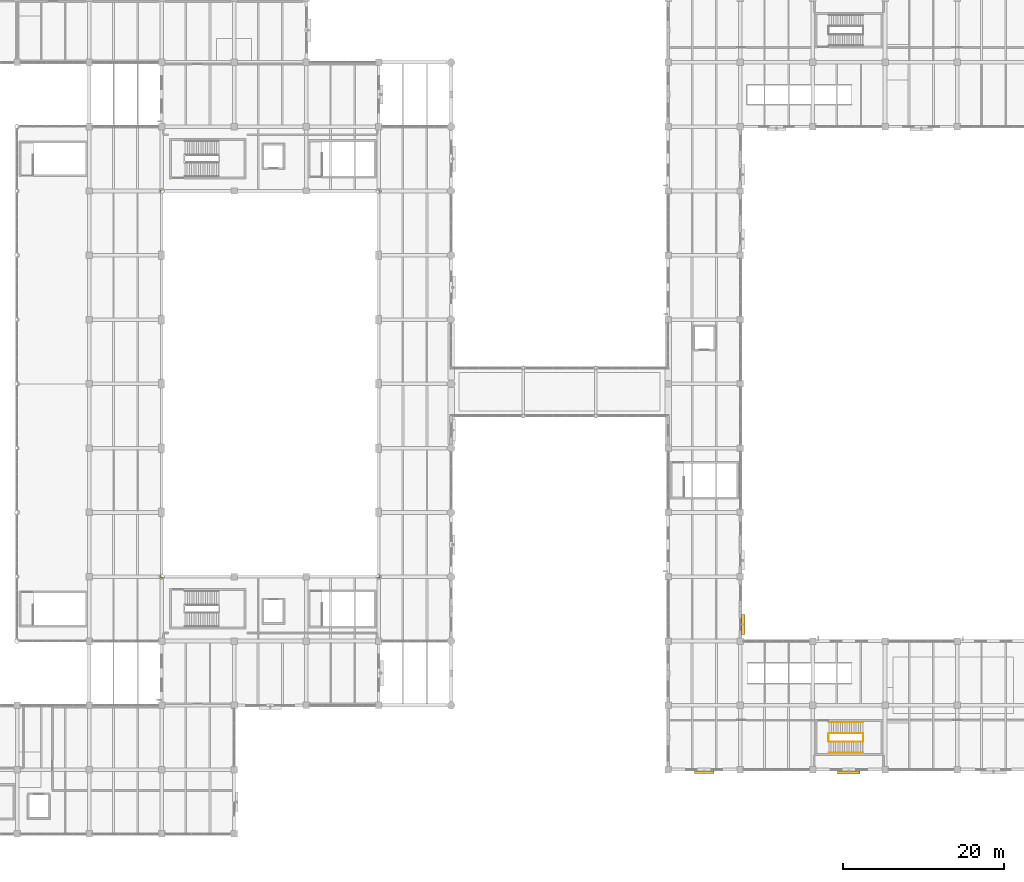
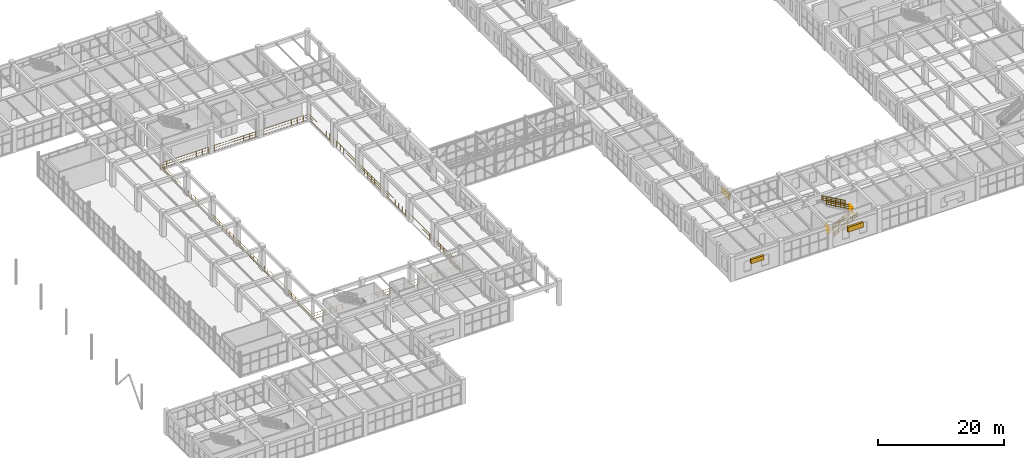
# One storey, part 170 of 178: 7 railings, 3 shading devices.
"""IFC4 building model written with IfcOpenShell, lengths in metres."""

from ifc_helpers import new_model, si_unit, derived_unit, direction, frame, origin, origin_2d, place, context, subcontext, project, spatial, rectangle, circle, extrude, material, layer, layer_set, type_object, element, save


model = new_model("IFC4")

# Units and contexts
model_context = context("Model", 3, precision=1e-05, world=origin(), true_north=direction((0.0, 1.0)))
body_context = subcontext(model_context, "Body", "Model", "MODEL_VIEW")
ifc_project = project(units=[si_unit("LENGTHUNIT", "METRE"), si_unit("AREAUNIT", "SQUARE_METRE"), si_unit("VOLUMEUNIT", "CUBIC_METRE"), si_unit("PLANEANGLEUNIT", "RADIAN"), si_unit("MASSUNIT", "GRAM", prefix="KILO"), derived_unit("THERMALTRANSMITTANCEUNIT", [(si_unit("MASSUNIT", "GRAM", prefix="KILO"), 1), (si_unit("TIMEUNIT", "SECOND"), -3), (si_unit("THERMODYNAMICTEMPERATUREUNIT", "KELVIN"), -1)])], contexts=[model_context])

# Site, building, storey
site_placement = place(None, origin())
site = spatial("IfcSite", under=ifc_project, at=site_placement, CompositionType="ELEMENT")
building_placement = place(site_placement, origin())
building = spatial("IfcBuilding", under=site, at=building_placement, Name="Zhenchuan Archway Interchange", CompositionType="ELEMENT")
storey_placement = place(building_placement, frame((0.0, 0.0, 5.39990234375)))
storey = spatial("IfcBuildingStorey", under=building, at=storey_placement, Name="L01", CompositionType="ELEMENT", Elevation=5.39990234375)

# Railings
ifc_material_1 = material(Name="Stainless Steel 316", Category="steel")
ifc_layer = layer(ifc_material_1, 0.070068359375)
ifc_layer_set = layer_set([ifc_layer], Name="Stainless Steel 316")
railing_type_1 = type_object("IfcRailingType", Name="RL_BALUSTRADE_1150", PredefinedType="BALUSTRADE", material=ifc_layer_set)
railing_placement = place(storey_placement, frame((35.8798828125, 31.8798828125, 0.0)))
element("IfcRailing", 1, at=railing_placement, inside=storey, type_object=railing_type_1, Name="Concourse nave gallery balustrade L01", PredefinedType="BALUSTRADE", context=body_context, shape_type="SweptSolid", body=[
    extrude(circle(Radius=0.02392578125, at=origin_2d()), frame((0.0, 0.0, 1.1259765625), z_axis=(1.0, 0.0, 0.0), x_axis=(0.0, 1.0, 0.0)), (0.0, 0.0, 1.0), 27.240234375),
    extrude(circle(Radius=0.01611328125, at=origin_2d()), frame((0.0, 0.0, 0.63232421875), z_axis=(1.0, 0.0, 0.0), x_axis=(0.0, 1.0, 0.0)), (0.0, 0.0, 1.0), 27.240234375),
    extrude(circle(Radius=0.01611328125, at=origin_2d()), frame((0.0, 0.0, 0.1201171875), z_axis=(1.0, 0.0, 0.0), x_axis=(0.0, 1.0, 0.0)), (0.0, 0.0, 1.0), 27.240234375),
    extrude(circle(Radius=0.02392578125, at=origin_2d()), frame((27.240234375, 0.0, 1.1259765625), z_axis=(0.0, 1.0, 0.0), x_axis=(-1.0, 0.0, 0.0)), (0.0, 0.0, 1.0), 48.240234375),
    extrude(circle(Radius=0.01611328125, at=origin_2d()), frame((27.240234375, 0.0, 0.63232421875), z_axis=(0.0, 1.0, 0.0), x_axis=(-1.0, 0.0, 0.0)), (0.0, 0.0, 1.0), 48.240234375),
    extrude(circle(Radius=0.01611328125, at=origin_2d()), frame((27.240234375, 0.0, 0.1201171875), z_axis=(0.0, 1.0, 0.0), x_axis=(-1.0, 0.0, 0.0)), (0.0, 0.0, 1.0), 48.240234375),
    extrude(circle(Radius=0.02392578125, at=origin_2d()), frame((27.240234375, 48.240234375, 1.1259765625), z_axis=(-1.0, 0.0, 0.0), x_axis=(0.0, -1.0, 0.0)), (0.0, 0.0, 1.0), 27.240234375),
    extrude(circle(Radius=0.01611328125, at=origin_2d()), frame((27.240234375, 48.240234375, 0.63232421875), z_axis=(-1.0, 0.0, 0.0), x_axis=(0.0, -1.0, 0.0)), (0.0, 0.0, 1.0), 27.240234375),
    extrude(circle(Radius=0.01611328125, at=origin_2d()), frame((27.240234375, 48.240234375, 0.1201171875), z_axis=(-1.0, 0.0, 0.0), x_axis=(0.0, -1.0, 0.0)), (0.0, 0.0, 1.0), 27.240234375),
    extrude(circle(Radius=0.02392578125, at=origin_2d()), frame((0.0, 48.240234375, 1.1259765625), z_axis=(0.0, -1.0, 0.0), x_axis=(1.0, 0.0, 0.0)), (0.0, 0.0, 1.0), 48.240234375),
    extrude(circle(Radius=0.01611328125, at=origin_2d()), frame((0.0, 48.240234375, 0.63232421875), z_axis=(0.0, -1.0, 0.0), x_axis=(1.0, 0.0, 0.0)), (0.0, 0.0, 1.0), 48.240234375),
    extrude(circle(Radius=0.01611328125, at=origin_2d()), frame((0.0, 48.240234375, 0.1201171875), z_axis=(0.0, -1.0, 0.0), x_axis=(1.0, 0.0, 0.0)), (0.0, 0.0, 1.0), 48.240234375),
    extrude(circle(Radius=0.02099609375, at=origin_2d()), origin(), (0.0, 0.0, 1.0), 1.1259765625),
    extrude(circle(Radius=0.02099609375, at=origin_2d()), frame((1.089599609375, 0.0, 0.0)), (0.0, 0.0, 1.0), 1.1259765625),
    extrude(circle(Radius=0.02099609375, at=origin_2d()), frame((2.17919921875, 0.0, 0.0)), (0.0, 0.0, 1.0), 1.1259765625),
    extrude(circle(Radius=0.02099609375, at=origin_2d()), frame((3.268798828125, 0.0, 0.0)), (0.0, 0.0, 1.0), 1.1259765625),
    extrude(circle(Radius=0.02099609375, at=origin_2d()), frame((4.3583984375, 0.0, 0.0)), (0.0, 0.0, 1.0), 1.1259765625),
    extrude(circle(Radius=0.02099609375, at=origin_2d()), frame((5.447998046875, 0.0, 0.0)), (0.0, 0.0, 1.0), 1.1259765625),
    extrude(circle(Radius=0.02099609375, at=origin_2d()), frame((6.53759765625, 0.0, 0.0)), (0.0, 0.0, 1.0), 1.1259765625),
    extrude(circle(Radius=0.02099609375, at=origin_2d()), frame((7.627197265625, 0.0, 0.0)), (0.0, 0.0, 1.0), 1.1259765625),
    extrude(circle(Radius=0.02099609375, at=origin_2d()), frame((8.716796875, 0.0, 0.0)), (0.0, 0.0, 1.0), 1.1259765625),
    extrude(circle(Radius=0.02099609375, at=origin_2d()), frame((9.806396484375, 0.0, 0.0)), (0.0, 0.0, 1.0), 1.1259765625),
    extrude(circle(Radius=0.02099609375, at=origin_2d()), frame((10.89599609375, 0.0, 0.0)), (0.0, 0.0, 1.0), 1.1259765625),
    extrude(circle(Radius=0.02099609375, at=origin_2d()), frame((11.985595703125, 0.0, 0.0)), (0.0, 0.0, 1.0), 1.1259765625),
    extrude(circle(Radius=0.02099609375, at=origin_2d()), frame((13.0751953125, 0.0, 0.0)), (0.0, 0.0, 1.0), 1.1259765625),
    extrude(circle(Radius=0.02099609375, at=origin_2d()), frame((14.1650390625, 0.0, 0.0)), (0.0, 0.0, 1.0), 1.1259765625),
    extrude(circle(Radius=0.02099609375, at=origin_2d()), frame((15.254638671875, 0.0, 0.0)), (0.0, 0.0, 1.0), 1.1259765625),
    extrude(circle(Radius=0.02099609375, at=origin_2d()), frame((16.34423828125, 0.0, 0.0)), (0.0, 0.0, 1.0), 1.1259765625),
    extrude(circle(Radius=0.02099609375, at=origin_2d()), frame((17.433837890625, 0.0, 0.0)), (0.0, 0.0, 1.0), 1.1259765625),
    extrude(circle(Radius=0.02099609375, at=origin_2d()), frame((18.5234375, 0.0, 0.0)), (0.0, 0.0, 1.0), 1.1259765625),
    extrude(circle(Radius=0.02099609375, at=origin_2d()), frame((19.613037109375, 0.0, 0.0)), (0.0, 0.0, 1.0), 1.1259765625),
    extrude(circle(Radius=0.02099609375, at=origin_2d()), frame((20.70263671875, 0.0, 0.0)), (0.0, 0.0, 1.0), 1.1259765625),
    extrude(circle(Radius=0.02099609375, at=origin_2d()), frame((21.792236328125, 0.0, 0.0)), (0.0, 0.0, 1.0), 1.1259765625),
    extrude(circle(Radius=0.02099609375, at=origin_2d()), frame((22.8818359375, 0.0, 0.0)), (0.0, 0.0, 1.0), 1.1259765625),
    extrude(circle(Radius=0.02099609375, at=origin_2d()), frame((23.971435546875, 0.0, 0.0)), (0.0, 0.0, 1.0), 1.1259765625),
    extrude(circle(Radius=0.02099609375, at=origin_2d()), frame((25.06103515625, 0.0, 0.0)), (0.0, 0.0, 1.0), 1.1259765625),
    extrude(circle(Radius=0.02099609375, at=origin_2d()), frame((26.150634765625, 0.0, 0.0)), (0.0, 0.0, 1.0), 1.1259765625),
    extrude(circle(Radius=0.02099609375, at=origin_2d()), frame((27.240234375, 0.0, 0.0)), (0.0, 0.0, 1.0), 1.1259765625),
    extrude(circle(Radius=0.02099609375, at=origin_2d()), frame((27.240234375, 1.096435546875, 0.0)), (0.0, 0.0, 1.0), 1.1259765625),
    extrude(circle(Radius=0.02099609375, at=origin_2d()), frame((27.240234375, 2.192626953125, 0.0)), (0.0, 0.0, 1.0), 1.1259765625),
    extrude(circle(Radius=0.02099609375, at=origin_2d()), frame((27.240234375, 3.2890625, 0.0)), (0.0, 0.0, 1.0), 1.1259765625),
    extrude(circle(Radius=0.02099609375, at=origin_2d()), frame((27.240234375, 4.385498046875, 0.0)), (0.0, 0.0, 1.0), 1.1259765625),
    extrude(circle(Radius=0.02099609375, at=origin_2d()), frame((27.240234375, 5.48193359375, 0.0)), (0.0, 0.0, 1.0), 1.1259765625),
    extrude(circle(Radius=0.02099609375, at=origin_2d()), frame((27.240234375, 6.578125, 0.0)), (0.0, 0.0, 1.0), 1.1259765625),
    extrude(circle(Radius=0.02099609375, at=origin_2d()), frame((27.240234375, 7.674560546875, 0.0)), (0.0, 0.0, 1.0), 1.1259765625),
    extrude(circle(Radius=0.02099609375, at=origin_2d()), frame((27.240234375, 8.77099609375, 0.0)), (0.0, 0.0, 1.0), 1.1259765625),
    extrude(circle(Radius=0.02099609375, at=origin_2d()), frame((27.240234375, 9.867431640625, 0.0)), (0.0, 0.0, 1.0), 1.1259765625),
    extrude(circle(Radius=0.02099609375, at=origin_2d()), frame((27.240234375, 10.963623046875, 0.0)), (0.0, 0.0, 1.0), 1.1259765625),
    extrude(circle(Radius=0.02099609375, at=origin_2d()), frame((27.240234375, 12.06005859375, 0.0)), (0.0, 0.0, 1.0), 1.1259765625),
    extrude(circle(Radius=0.02099609375, at=origin_2d()), frame((27.240234375, 13.156494140625, 0.0)), (0.0, 0.0, 1.0), 1.1259765625),
    extrude(circle(Radius=0.02099609375, at=origin_2d()), frame((27.240234375, 14.252685546875, 0.0)), (0.0, 0.0, 1.0), 1.1259765625),
    extrude(circle(Radius=0.02099609375, at=origin_2d()), frame((27.240234375, 15.34912109375, 0.0)), (0.0, 0.0, 1.0), 1.1259765625),
    extrude(circle(Radius=0.02099609375, at=origin_2d()), frame((27.240234375, 16.445556640625, 0.0)), (0.0, 0.0, 1.0), 1.1259765625),
    extrude(circle(Radius=0.02099609375, at=origin_2d()), frame((27.240234375, 17.5419921875, 0.0)), (0.0, 0.0, 1.0), 1.1259765625),
    extrude(circle(Radius=0.02099609375, at=origin_2d()), frame((27.240234375, 18.63818359375, 0.0)), (0.0, 0.0, 1.0), 1.1259765625),
    extrude(circle(Radius=0.02099609375, at=origin_2d()), frame((27.240234375, 19.734619140625, 0.0)), (0.0, 0.0, 1.0), 1.1259765625),
    extrude(circle(Radius=0.02099609375, at=origin_2d()), frame((27.240234375, 20.8310546875, 0.0)), (0.0, 0.0, 1.0), 1.1259765625),
    extrude(circle(Radius=0.02099609375, at=origin_2d()), frame((27.240234375, 21.927490234375, 0.0)), (0.0, 0.0, 1.0), 1.1259765625),
    extrude(circle(Radius=0.02099609375, at=origin_2d()), frame((27.240234375, 23.023681640625, 0.0)), (0.0, 0.0, 1.0), 1.1259765625),
    extrude(circle(Radius=0.02099609375, at=origin_2d()), frame((27.240234375, 24.1201171875, 0.0)), (0.0, 0.0, 1.0), 1.1259765625),
    extrude(circle(Radius=0.02099609375, at=origin_2d()), frame((27.240234375, 25.216552734375, 0.0)), (0.0, 0.0, 1.0), 1.1259765625),
    extrude(circle(Radius=0.02099609375, at=origin_2d()), frame((27.240234375, 26.312744140625, 0.0)), (0.0, 0.0, 1.0), 1.1259765625),
    extrude(circle(Radius=0.02099609375, at=origin_2d()), frame((27.240234375, 27.4091796875, 0.0)), (0.0, 0.0, 1.0), 1.1259765625),
    extrude(circle(Radius=0.02099609375, at=origin_2d()), frame((27.240234375, 28.505615234375, 0.0)), (0.0, 0.0, 1.0), 1.1259765625),
    extrude(circle(Radius=0.02099609375, at=origin_2d()), frame((27.240234375, 29.60205078125, 0.0)), (0.0, 0.0, 1.0), 1.1259765625),
    extrude(circle(Radius=0.02099609375, at=origin_2d()), frame((27.240234375, 30.6982421875, 0.0)), (0.0, 0.0, 1.0), 1.1259765625),
    extrude(circle(Radius=0.02099609375, at=origin_2d()), frame((27.240234375, 31.794677734375, 0.0)), (0.0, 0.0, 1.0), 1.1259765625),
    extrude(circle(Radius=0.02099609375, at=origin_2d()), frame((27.240234375, 32.89111328125, 0.0)), (0.0, 0.0, 1.0), 1.1259765625),
    extrude(circle(Radius=0.02099609375, at=origin_2d()), frame((27.240234375, 33.987548828125, 0.0)), (0.0, 0.0, 1.0), 1.1259765625),
    extrude(circle(Radius=0.02099609375, at=origin_2d()), frame((27.240234375, 35.083740234375, 0.0)), (0.0, 0.0, 1.0), 1.1259765625),
    extrude(circle(Radius=0.02099609375, at=origin_2d()), frame((27.240234375, 36.18017578125, 0.0)), (0.0, 0.0, 1.0), 1.1259765625),
    extrude(circle(Radius=0.02099609375, at=origin_2d()), frame((27.240234375, 37.276611328125, 0.0)), (0.0, 0.0, 1.0), 1.1259765625),
    extrude(circle(Radius=0.02099609375, at=origin_2d()), frame((27.240234375, 38.372802734375, 0.0)), (0.0, 0.0, 1.0), 1.1259765625),
    extrude(circle(Radius=0.02099609375, at=origin_2d()), frame((27.240234375, 39.46923828125, 0.0)), (0.0, 0.0, 1.0), 1.1259765625),
    extrude(circle(Radius=0.02099609375, at=origin_2d()), frame((27.240234375, 40.565673828125, 0.0)), (0.0, 0.0, 1.0), 1.1259765625),
    extrude(circle(Radius=0.02099609375, at=origin_2d()), frame((27.240234375, 41.662109375, 0.0)), (0.0, 0.0, 1.0), 1.1259765625),
    extrude(circle(Radius=0.02099609375, at=origin_2d()), frame((27.240234375, 42.75830078125, 0.0)), (0.0, 0.0, 1.0), 1.1259765625),
    extrude(circle(Radius=0.02099609375, at=origin_2d()), frame((27.240234375, 43.854736328125, 0.0)), (0.0, 0.0, 1.0), 1.1259765625),
    extrude(circle(Radius=0.02099609375, at=origin_2d()), frame((27.240234375, 44.951171875, 0.0)), (0.0, 0.0, 1.0), 1.1259765625),
    extrude(circle(Radius=0.02099609375, at=origin_2d()), frame((27.240234375, 46.047607421875, 0.0)), (0.0, 0.0, 1.0), 1.1259765625),
    extrude(circle(Radius=0.02099609375, at=origin_2d()), frame((27.240234375, 47.143798828125, 0.0)), (0.0, 0.0, 1.0), 1.1259765625),
    extrude(circle(Radius=0.02099609375, at=origin_2d()), frame((27.240234375, 48.240234375, 0.0)), (0.0, 0.0, 1.0), 1.1259765625),
    extrude(circle(Radius=0.02099609375, at=origin_2d()), frame((26.150634765625, 48.240234375, 0.0)), (0.0, 0.0, 1.0), 1.1259765625),
    extrude(circle(Radius=0.02099609375, at=origin_2d()), frame((25.06103515625, 48.240234375, 0.0)), (0.0, 0.0, 1.0), 1.1259765625),
    extrude(circle(Radius=0.02099609375, at=origin_2d()), frame((23.971435546875, 48.240234375, 0.0)), (0.0, 0.0, 1.0), 1.1259765625),
    extrude(circle(Radius=0.02099609375, at=origin_2d()), frame((22.8818359375, 48.240234375, 0.0)), (0.0, 0.0, 1.0), 1.1259765625),
    extrude(circle(Radius=0.02099609375, at=origin_2d()), frame((21.792236328125, 48.240234375, 0.0)), (0.0, 0.0, 1.0), 1.1259765625),
    extrude(circle(Radius=0.02099609375, at=origin_2d()), frame((20.70263671875, 48.240234375, 0.0)), (0.0, 0.0, 1.0), 1.1259765625),
    extrude(circle(Radius=0.02099609375, at=origin_2d()), frame((19.613037109375, 48.240234375, 0.0)), (0.0, 0.0, 1.0), 1.1259765625),
    extrude(circle(Radius=0.02099609375, at=origin_2d()), frame((18.5234375, 48.240234375, 0.0)), (0.0, 0.0, 1.0), 1.1259765625),
    extrude(circle(Radius=0.02099609375, at=origin_2d()), frame((17.433837890625, 48.240234375, 0.0)), (0.0, 0.0, 1.0), 1.1259765625),
    extrude(circle(Radius=0.02099609375, at=origin_2d()), frame((16.34423828125, 48.240234375, 0.0)), (0.0, 0.0, 1.0), 1.1259765625),
    extrude(circle(Radius=0.02099609375, at=origin_2d()), frame((15.254638671875, 48.240234375, 0.0)), (0.0, 0.0, 1.0), 1.1259765625),
    extrude(circle(Radius=0.02099609375, at=origin_2d()), frame((14.1650390625, 48.240234375, 0.0)), (0.0, 0.0, 1.0), 1.1259765625),
    extrude(circle(Radius=0.02099609375, at=origin_2d()), frame((13.0751953125, 48.240234375, 0.0)), (0.0, 0.0, 1.0), 1.1259765625),
    extrude(circle(Radius=0.02099609375, at=origin_2d()), frame((11.985595703125, 48.240234375, 0.0)), (0.0, 0.0, 1.0), 1.1259765625),
    extrude(circle(Radius=0.02099609375, at=origin_2d()), frame((10.89599609375, 48.240234375, 0.0)), (0.0, 0.0, 1.0), 1.1259765625),
    extrude(circle(Radius=0.02099609375, at=origin_2d()), frame((9.806396484375, 48.240234375, 0.0)), (0.0, 0.0, 1.0), 1.1259765625),
    extrude(circle(Radius=0.02099609375, at=origin_2d()), frame((8.716796875, 48.240234375, 0.0)), (0.0, 0.0, 1.0), 1.1259765625),
    extrude(circle(Radius=0.02099609375, at=origin_2d()), frame((7.627197265625, 48.240234375, 0.0)), (0.0, 0.0, 1.0), 1.1259765625),
    extrude(circle(Radius=0.02099609375, at=origin_2d()), frame((6.53759765625, 48.240234375, 0.0)), (0.0, 0.0, 1.0), 1.1259765625),
    extrude(circle(Radius=0.02099609375, at=origin_2d()), frame((5.447998046875, 48.240234375, 0.0)), (0.0, 0.0, 1.0), 1.1259765625),
    extrude(circle(Radius=0.02099609375, at=origin_2d()), frame((4.3583984375, 48.240234375, 0.0)), (0.0, 0.0, 1.0), 1.1259765625),
    extrude(circle(Radius=0.02099609375, at=origin_2d()), frame((3.268798828125, 48.240234375, 0.0)), (0.0, 0.0, 1.0), 1.1259765625),
    extrude(circle(Radius=0.02099609375, at=origin_2d()), frame((2.17919921875, 48.240234375, 0.0)), (0.0, 0.0, 1.0), 1.1259765625),
    extrude(circle(Radius=0.02099609375, at=origin_2d()), frame((1.089599609375, 48.240234375, 0.0)), (0.0, 0.0, 1.0), 1.1259765625),
    extrude(circle(Radius=0.02099609375, at=origin_2d()), frame((0.0, 48.240234375, 0.0)), (0.0, 0.0, 1.0), 1.1259765625),
    extrude(circle(Radius=0.02099609375, at=origin_2d()), frame((0.0, 47.143798828125, 0.0)), (0.0, 0.0, 1.0), 1.1259765625),
    extrude(circle(Radius=0.02099609375, at=origin_2d()), frame((0.0, 46.047607421875, 0.0)), (0.0, 0.0, 1.0), 1.1259765625),
    extrude(circle(Radius=0.02099609375, at=origin_2d()), frame((0.0, 44.951171875, 0.0)), (0.0, 0.0, 1.0), 1.1259765625),
    extrude(circle(Radius=0.02099609375, at=origin_2d()), frame((0.0, 43.854736328125, 0.0)), (0.0, 0.0, 1.0), 1.1259765625),
    extrude(circle(Radius=0.02099609375, at=origin_2d()), frame((0.0, 42.75830078125, 0.0)), (0.0, 0.0, 1.0), 1.1259765625),
    extrude(circle(Radius=0.02099609375, at=origin_2d()), frame((0.0, 41.662109375, 0.0)), (0.0, 0.0, 1.0), 1.1259765625),
    extrude(circle(Radius=0.02099609375, at=origin_2d()), frame((0.0, 40.565673828125, 0.0)), (0.0, 0.0, 1.0), 1.1259765625),
    extrude(circle(Radius=0.02099609375, at=origin_2d()), frame((0.0, 39.46923828125, 0.0)), (0.0, 0.0, 1.0), 1.1259765625),
    extrude(circle(Radius=0.02099609375, at=origin_2d()), frame((0.0, 38.372802734375, 0.0)), (0.0, 0.0, 1.0), 1.1259765625),
    extrude(circle(Radius=0.02099609375, at=origin_2d()), frame((0.0, 37.276611328125, 0.0)), (0.0, 0.0, 1.0), 1.1259765625),
    extrude(circle(Radius=0.02099609375, at=origin_2d()), frame((0.0, 36.18017578125, 0.0)), (0.0, 0.0, 1.0), 1.1259765625),
    extrude(circle(Radius=0.02099609375, at=origin_2d()), frame((0.0, 35.083740234375, 0.0)), (0.0, 0.0, 1.0), 1.1259765625),
    extrude(circle(Radius=0.02099609375, at=origin_2d()), frame((0.0, 33.987548828125, 0.0)), (0.0, 0.0, 1.0), 1.1259765625),
    extrude(circle(Radius=0.02099609375, at=origin_2d()), frame((0.0, 32.89111328125, 0.0)), (0.0, 0.0, 1.0), 1.1259765625),
    extrude(circle(Radius=0.02099609375, at=origin_2d()), frame((0.0, 31.794677734375, 0.0)), (0.0, 0.0, 1.0), 1.1259765625),
    extrude(circle(Radius=0.02099609375, at=origin_2d()), frame((0.0, 30.6982421875, 0.0)), (0.0, 0.0, 1.0), 1.1259765625),
    extrude(circle(Radius=0.02099609375, at=origin_2d()), frame((0.0, 29.60205078125, 0.0)), (0.0, 0.0, 1.0), 1.1259765625),
    extrude(circle(Radius=0.02099609375, at=origin_2d()), frame((0.0, 28.505615234375, 0.0)), (0.0, 0.0, 1.0), 1.1259765625),
    extrude(circle(Radius=0.02099609375, at=origin_2d()), frame((0.0, 27.4091796875, 0.0)), (0.0, 0.0, 1.0), 1.1259765625),
    extrude(circle(Radius=0.02099609375, at=origin_2d()), frame((0.0, 26.312744140625, 0.0)), (0.0, 0.0, 1.0), 1.1259765625),
    extrude(circle(Radius=0.02099609375, at=origin_2d()), frame((0.0, 25.216552734375, 0.0)), (0.0, 0.0, 1.0), 1.1259765625),
    extrude(circle(Radius=0.02099609375, at=origin_2d()), frame((0.0, 24.1201171875, 0.0)), (0.0, 0.0, 1.0), 1.1259765625),
    extrude(circle(Radius=0.02099609375, at=origin_2d()), frame((0.0, 23.023681640625, 0.0)), (0.0, 0.0, 1.0), 1.1259765625),
    extrude(circle(Radius=0.02099609375, at=origin_2d()), frame((0.0, 21.927490234375, 0.0)), (0.0, 0.0, 1.0), 1.1259765625),
    extrude(circle(Radius=0.02099609375, at=origin_2d()), frame((0.0, 20.8310546875, 0.0)), (0.0, 0.0, 1.0), 1.1259765625),
    extrude(circle(Radius=0.02099609375, at=origin_2d()), frame((0.0, 19.734619140625, 0.0)), (0.0, 0.0, 1.0), 1.1259765625),
    extrude(circle(Radius=0.02099609375, at=origin_2d()), frame((0.0, 18.63818359375, 0.0)), (0.0, 0.0, 1.0), 1.1259765625),
    extrude(circle(Radius=0.02099609375, at=origin_2d()), frame((0.0, 17.5419921875, 0.0)), (0.0, 0.0, 1.0), 1.1259765625),
    extrude(circle(Radius=0.02099609375, at=origin_2d()), frame((0.0, 16.445556640625, 0.0)), (0.0, 0.0, 1.0), 1.1259765625),
    extrude(circle(Radius=0.02099609375, at=origin_2d()), frame((0.0, 15.34912109375, 0.0)), (0.0, 0.0, 1.0), 1.1259765625),
    extrude(circle(Radius=0.02099609375, at=origin_2d()), frame((0.0, 14.252685546875, 0.0)), (0.0, 0.0, 1.0), 1.1259765625),
    extrude(circle(Radius=0.02099609375, at=origin_2d()), frame((0.0, 13.156494140625, 0.0)), (0.0, 0.0, 1.0), 1.1259765625),
    extrude(circle(Radius=0.02099609375, at=origin_2d()), frame((0.0, 12.06005859375, 0.0)), (0.0, 0.0, 1.0), 1.1259765625),
    extrude(circle(Radius=0.02099609375, at=origin_2d()), frame((0.0, 10.963623046875, 0.0)), (0.0, 0.0, 1.0), 1.1259765625),
    extrude(circle(Radius=0.02099609375, at=origin_2d()), frame((0.0, 9.867431640625, 0.0)), (0.0, 0.0, 1.0), 1.1259765625),
    extrude(circle(Radius=0.02099609375, at=origin_2d()), frame((0.0, 8.77099609375, 0.0)), (0.0, 0.0, 1.0), 1.1259765625),
    extrude(circle(Radius=0.02099609375, at=origin_2d()), frame((0.0, 7.674560546875, 0.0)), (0.0, 0.0, 1.0), 1.1259765625),
    extrude(circle(Radius=0.02099609375, at=origin_2d()), frame((0.0, 6.578125, 0.0)), (0.0, 0.0, 1.0), 1.1259765625),
    extrude(circle(Radius=0.02099609375, at=origin_2d()), frame((0.0, 5.48193359375, 0.0)), (0.0, 0.0, 1.0), 1.1259765625),
    extrude(circle(Radius=0.02099609375, at=origin_2d()), frame((0.0, 4.385498046875, 0.0)), (0.0, 0.0, 1.0), 1.1259765625),
    extrude(circle(Radius=0.02099609375, at=origin_2d()), frame((0.0, 3.2890625, 0.0)), (0.0, 0.0, 1.0), 1.1259765625),
    extrude(circle(Radius=0.02099609375, at=origin_2d()), frame((0.0, 2.192626953125, 0.0)), (0.0, 0.0, 1.0), 1.1259765625),
    extrude(circle(Radius=0.02099609375, at=origin_2d()), frame((0.0, 1.096435546875, 0.0)), (0.0, 0.0, 1.0), 1.1259765625),
])
ifc_material_2 = material(Name="Painted Galvanised Steel", Category="steel")
railing_type_2 = type_object("IfcRailingType", Name="RL_GUARD_1150", PredefinedType="GUARDRAIL", material=ifc_material_2)
for number, where, name in (
    (2, (123.284912109375, 11.514892578125, 2.400146484375), "Stair ST-O5 half-landing slot guard (L01)"),
    (3, (118.985107421875, 11.514892578125, 0.0), "Stair ST-O5 floor well guard (L01)"),
):
    element("IfcRailing", number, at=place(storey_placement, frame(where)), inside=storey, type_object=railing_type_2, Name=name, PredefinedType="GUARDRAIL", context=body_context, shape_type="SweptSolid", body=[
        extrude(circle(Radius=0.02392578125, at=origin_2d()), frame((0.0, 0.0, 1.1259765625), z_axis=(0.0, 1.0, 0.0), x_axis=(-1.0, 0.0, 0.0)), (0.0, 0.0, 1.0), 0.97021484375),
        extrude(circle(Radius=0.01611328125, at=origin_2d()), frame((0.0, 0.0, 0.63232421875), z_axis=(0.0, 1.0, 0.0), x_axis=(-1.0, 0.0, 0.0)), (0.0, 0.0, 1.0), 0.97021484375),
        extrude(circle(Radius=0.01611328125, at=origin_2d()), frame((0.0, 0.0, 0.1201171875), z_axis=(0.0, 1.0, 0.0), x_axis=(-1.0, 0.0, 0.0)), (0.0, 0.0, 1.0), 0.97021484375),
        extrude(circle(Radius=0.02099609375, at=origin_2d()), origin(), (0.0, 0.0, 1.0), 1.1259765625),
        extrude(circle(Radius=0.02099609375, at=origin_2d()), frame((0.0, 0.97021484375, 0.0)), (0.0, 0.0, 1.0), 1.1259765625),
    ])
ifc_material_3 = material(Name="Stainless Steel 304", Category="steel")
railing_type_3 = type_object("IfcRailingType", Name="RL_HAND_920", PredefinedType="HANDRAIL", material=ifc_material_3)
for number, where, name in (
    (4, (119.02490234375, 10.10498046875, 0.150146484375), "Stair ST-O5 handrail 1 (L01)"),
    (5, (119.02490234375, 11.47509765625, 0.150146484375), "Stair ST-O5 handrail 2 (L01)"),
):
    element("IfcRailing", number, at=place(storey_placement, frame(where)), inside=storey, type_object=railing_type_3, Name=name, PredefinedType="HANDRAIL", context=body_context, shape_type="SweptSolid", body=[
        extrude(circle(Radius=0.02392578125, at=origin_2d()), frame((0.0, 0.0, 0.89599609375), z_axis=(0.86927486562, 0.0, 0.494329048308), x_axis=(0.0, 1.0, 0.0)), (0.0, 0.0, 1.0), 4.85498046875),
        extrude(circle(Radius=0.01611328125, at=origin_2d()), frame((0.0, 0.0, 0.505859375), z_axis=(0.86927486562, 0.0, 0.494329048308), x_axis=(0.0, 1.0, 0.0)), (0.0, 0.0, 1.0), 4.85498046875),
        extrude(circle(Radius=0.01611328125, at=origin_2d()), frame((0.0, 0.0, 0.1201171875), z_axis=(0.86927486562, 0.0, 0.494329048308), x_axis=(0.0, 1.0, 0.0)), (0.0, 0.0, 1.0), 4.85498046875),
        extrude(circle(Radius=0.02099609375, at=origin_2d()), origin(), (0.0, 0.0, 1.0), 0.89599609375),
        extrude(circle(Radius=0.02099609375, at=origin_2d()), frame((0.843994140625, 0.0, 0.47998046875)), (0.0, 0.0, 1.0), 0.89599609375),
        extrude(circle(Radius=0.02099609375, at=origin_2d()), frame((1.68798828125, 0.0, 0.9599609375)), (0.0, 0.0, 1.0), 0.89599609375),
        extrude(circle(Radius=0.02099609375, at=origin_2d()), frame((2.5322265625, 0.0, 1.43994140625)), (0.0, 0.0, 1.0), 0.89599609375),
        extrude(circle(Radius=0.02099609375, at=origin_2d()), frame((3.376220703125, 0.0, 1.919921875)), (0.0, 0.0, 1.0), 0.89599609375),
        extrude(circle(Radius=0.02099609375, at=origin_2d()), frame((4.22021484375, 0.0, 2.39990234375)), (0.0, 0.0, 1.0), 0.89599609375),
    ])
for number, where, name in (
    (6, (123.2451171875, 12.52490234375, 2.550048828125), "Stair ST-O5 handrail 3 (L01)"),
    (7, (123.2451171875, 13.89501953125, 2.550048828125), "Stair ST-O5 handrail 4 (L01)"),
):
    element("IfcRailing", number, at=place(storey_placement, frame(where)), inside=storey, type_object=railing_type_3, Name=name, PredefinedType="HANDRAIL", context=body_context, shape_type="SweptSolid", body=[
        extrude(circle(Radius=0.02392578125, at=origin_2d()), frame((0.0, 0.0, 0.89599609375), z_axis=(-0.869253256267, 0.0, 0.494367046301), x_axis=(0.0, -1.0, 0.0)), (0.0, 0.0, 1.0), 4.85498046875),
        extrude(circle(Radius=0.01611328125, at=origin_2d()), frame((0.0, 0.0, 0.505859375), z_axis=(-0.869253256267, 0.0, 0.494367046301), x_axis=(0.0, -1.0, 0.0)), (0.0, 0.0, 1.0), 4.85498046875),
        extrude(circle(Radius=0.01611328125, at=origin_2d()), frame((0.0, 0.0, 0.1201171875), z_axis=(-0.869253256267, 0.0, 0.494367046301), x_axis=(0.0, -1.0, 0.0)), (0.0, 0.0, 1.0), 4.85498046875),
        extrude(circle(Radius=0.02099609375, at=origin_2d()), origin(), (0.0, 0.0, 1.0), 0.89599609375),
        extrude(circle(Radius=0.02099609375, at=origin_2d()), frame((-0.843994140625, 0.0, 0.47998046875)), (0.0, 0.0, 1.0), 0.89599609375),
        extrude(circle(Radius=0.02099609375, at=origin_2d()), frame((-1.68798828125, 0.0, 0.9599609375)), (0.0, 0.0, 1.0), 0.89599609375),
        extrude(circle(Radius=0.02099609375, at=origin_2d()), frame((-2.5322265625, 0.0, 1.440185546875)), (0.0, 0.0, 1.0), 0.89599609375),
        extrude(circle(Radius=0.02099609375, at=origin_2d()), frame((-3.376220703125, 0.0, 1.920166015625)), (0.0, 0.0, 1.0), 0.89599609375),
        extrude(circle(Radius=0.02099609375, at=origin_2d()), frame((-4.22021484375, 0.0, 2.400146484375)), (0.0, 0.0, 1.0), 0.89599609375),
    ])

# Shading devices
ifc_material_4 = material(Name="Anodised Aluminium", Category="aluminium")
shading_device_type_1 = type_object("IfcShadingDeviceType", Name="SHD_LOUVRE_1", PredefinedType="JALOUSIE", material=ifc_material_4)
shading_device_1_placement = place(storey_placement, frame((121.5, 7.656005859375, 2.27490234375), z_axis=(0.0, 0.0, 1.0), x_axis=(-1.0, 0.0, 0.0)))
element("IfcShadingDevice", 8, at=shading_device_1_placement, inside=storey, type_object=shading_device_type_1, Name="Monsoon storm-louvre jalousie L01-048", PredefinedType="JALOUSIE", context=body_context, shape_type="SweptSolid", body=[
    extrude(rectangle(XDim=2.800048828125, YDim=0.3798828125, at=origin_2d()), origin(), (0.0, 0.0, 1.0), 0.949951171875),
])
shading_device_type_2 = type_object("IfcShadingDeviceType", Name="SHD_LOUVRE_2", PredefinedType="JALOUSIE", material=ifc_material_4)
shading_device_2_placement = place(storey_placement, frame((103.5, 7.676025390625, 2.324951171875), z_axis=(0.0, 0.0, 1.0), x_axis=(-1.0, 0.0, 0.0)))
element("IfcShadingDevice", 9, at=shading_device_2_placement, inside=storey, type_object=shading_device_type_2, Name="Monsoon storm-louvre jalousie L01-049", PredefinedType="JALOUSIE", context=body_context, shape_type="SweptSolid", body=[
    extrude(rectangle(XDim=2.39990234375, YDim=0.340087890625, at=origin_2d()), origin(), (0.0, 0.0, 1.0), 0.85009765625),
])
shading_device_type_3 = type_object("IfcShadingDeviceType", Name="SHD_LOUVRE_3", PredefinedType="JALOUSIE", material=ifc_material_4)
shading_device_3_placement = place(storey_placement, frame((108.35400390625, 26.03759765625, 2.22509765625), z_axis=(0.0, 0.0, 1.0), x_axis=(0.0, -1.0, 0.0)))
element("IfcShadingDevice", 10, at=shading_device_3_placement, inside=storey, type_object=shading_device_type_3, Name="Monsoon storm-louvre jalousie L01-065", PredefinedType="JALOUSIE", context=body_context, shape_type="SweptSolid", body=[
    extrude(rectangle(XDim=2.47900390625, YDim=0.39990234375, at=origin_2d()), origin(), (0.0, 0.0, 1.0), 1.050048828125),
])

save(model, "model.ifc")
